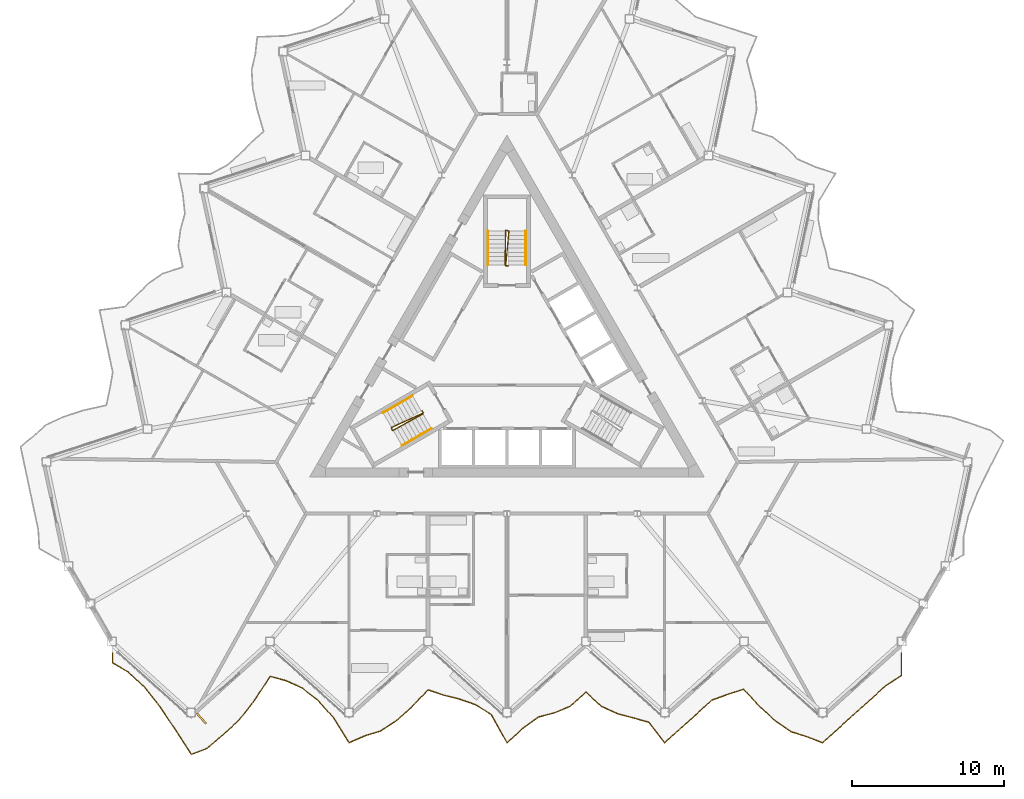
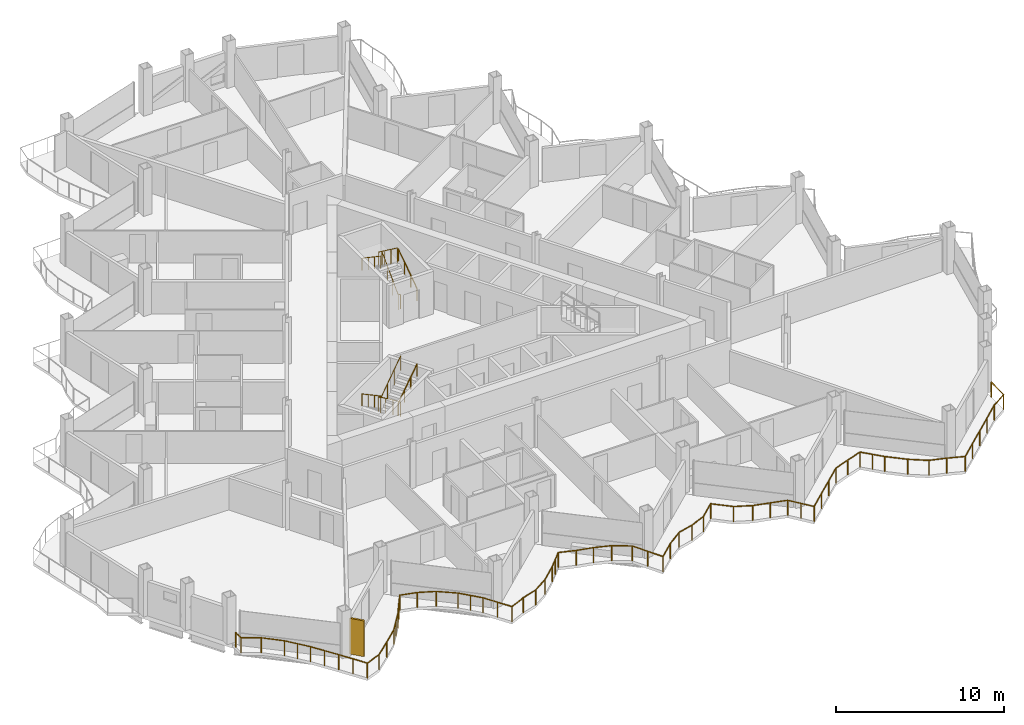
# One storey, part 22 of 26: 7 railings, 1 shading device.
"""IFC4 building model written with IfcOpenShell, lengths in metres."""

from ifc_helpers import new_model, si_unit, direction, frame, origin, origin_2d, place, context, subcontext, project, spatial, rectangle, circle, extrude, material, layer, layer_set, type_object, element, save


model = new_model("IFC4")

# Units and contexts
model_context = context("Model", 3, precision=1e-05, world=origin(), true_north=direction((0.0, 1.0)))
body_context = subcontext(model_context, "Body", "Model", "MODEL_VIEW")
ifc_project = project(units=[si_unit("LENGTHUNIT", "METRE"), si_unit("AREAUNIT", "SQUARE_METRE"), si_unit("VOLUMEUNIT", "CUBIC_METRE"), si_unit("PLANEANGLEUNIT", "RADIAN"), si_unit("MASSUNIT", "GRAM", prefix="KILO")], contexts=[model_context])

# Site, building, storey
site_placement = place(None, origin())
site = spatial("IfcSite", under=ifc_project, at=site_placement, CompositionType="ELEMENT")
building_placement = place(site_placement, origin())
building = spatial("IfcBuilding", under=site, at=building_placement, Name="Cormorant Prow Tower", CompositionType="ELEMENT")
storey_placement = place(building_placement, frame((0.0, 0.0, 329.0)))
storey = spatial("IfcBuildingStorey", under=building, at=storey_placement, Name="L73", CompositionType="ELEMENT", Elevation=329.0)

# Railings
ifc_material_1 = material(Name="Aluminium 6063-T6", Category="aluminium")
railing_type_1 = type_object("IfcRailingType", Name="Balcony guard 1100", PredefinedType="GUARDRAIL", material=ifc_material_1)
railing_1_placement = place(storey_placement, frame((-25.973388671875, -19.09814453125, 0.0)))
element("IfcRailing", 1, at=railing_1_placement, inside=storey, type_object=railing_type_1, Name="Balcony guard S", PredefinedType="GUARDRAIL", context=body_context, shape_type="SweptSolid", body=[
    extrude(circle(Radius=0.02392578125, at=origin_2d()), frame((0.0, 0.0, 1.076171875), z_axis=(0.0, -1.0, 0.0), x_axis=(1.0, 0.0, 0.0)), (0.0, 0.0, 1.0), 0.635986328125),
    extrude(circle(Radius=0.02392578125, at=origin_2d()), frame((0.0, -0.635986328125, 1.076171875), z_axis=(0.864404526024, -0.502796992223, 0.0), x_axis=(0.502796992223, 0.864404526024, 0.0)), (0.0, 0.0, 1.0), 1.20166015625),
    extrude(circle(Radius=0.02392578125, at=origin_2d()), frame((1.038818359375, -1.240234375, 1.076171875), z_axis=(0.734082243463, -0.679060571549, 0.0), x_axis=(0.679060571549, 0.734082243463, 0.0)), (0.0, 0.0, 1.0), 1.41552734375),
    extrude(circle(Radius=0.02392578125, at=origin_2d()), frame((2.077880859375, -2.201416015625, 1.076171875), z_axis=(0.621039347423, -0.783779387935, 0.0), x_axis=(0.783779387935, 0.621039347423, 0.0)), (0.0, 0.0, 1.0), 1.672607421875),
    extrude(circle(Radius=0.02392578125, at=origin_2d()), frame((3.11669921875, -3.512451171875, 1.076171875), z_axis=(0.55672153473, -0.830699183079, 0.0), x_axis=(0.830699183079, 0.55672153473, 0.0)), (0.0, 0.0, 1.0), 1.865966796875),
    extrude(circle(Radius=0.02392578125, at=origin_2d()), frame((4.155517578125, -5.0625, 1.076171875), z_axis=(0.542579782654, -0.840004273474, 0.0), x_axis=(0.840004273474, 0.542579782654, 0.0)), (0.0, 0.0, 1.0), 1.9150390625),
    extrude(circle(Radius=0.02392578125, at=origin_2d()), frame((5.194580078125, -6.671142578125, 1.076171875), z_axis=(0.932796459429, 0.360403614407, 0.0), x_axis=(-0.360403614407, 0.932796459429, 0.0)), (0.0, 0.0, 1.0), 1.11376953125),
    extrude(circle(Radius=0.02392578125, at=origin_2d()), frame((6.2333984375, -6.269775390625, 1.076171875), z_axis=(0.758287360731, 0.651920454162, 0.0), x_axis=(-0.651920454162, 0.758287360731, 0.0)), (0.0, 0.0, 1.0), 1.370361328125),
    extrude(circle(Radius=0.02392578125, at=origin_2d()), frame((7.2724609375, -5.37646484375, 1.076171875), z_axis=(0.743077017914, 0.669205906615, 0.0), x_axis=(-0.669205906615, 0.743077017914, 0.0)), (0.0, 0.0, 1.0), 1.39794921875),
    extrude(circle(Radius=0.02392578125, at=origin_2d()), frame((8.311279296875, -4.44091796875, 1.076171875), z_axis=(0.617097688735, 0.786886549992, 0.0), x_axis=(-0.786886549992, 0.617097688735, 0.0)), (0.0, 0.0, 1.0), 1.683837890625),
    extrude(circle(Radius=0.02392578125, at=origin_2d()), frame((9.350341796875, -3.115966796875, 1.076171875), z_axis=(0.547908224323, 0.836538449636, 0.0), x_axis=(-0.836538449636, 0.547908224323, 0.0)), (0.0, 0.0, 1.0), 1.896484375),
    extrude(circle(Radius=0.02392578125, at=origin_2d()), frame((10.389404296875, -1.529541015625, 1.076171875), z_axis=(0.96507717887, -0.261965720704, 0.0), x_axis=(0.261965720704, 0.96507717887, 0.0)), (0.0, 0.0, 1.0), 1.076416015625),
    extrude(circle(Radius=0.02392578125, at=origin_2d()), frame((11.42822265625, -1.8115234375, 1.076171875), z_axis=(0.910813015189, -0.412819150916, 0.0), x_axis=(0.412819150916, 0.910813015189, 0.0)), (0.0, 0.0, 1.0), 1.140869140625),
    extrude(circle(Radius=0.02392578125, at=origin_2d()), frame((12.46728515625, -2.282470703125, 1.076171875), z_axis=(0.793441260046, -0.608646832618, 0.0), x_axis=(0.608646832618, 0.793441260046, 0.0)), (0.0, 0.0, 1.0), 1.309326171875),
    extrude(circle(Radius=0.02392578125, at=origin_2d()), frame((13.506103515625, -3.079345703125, 1.076171875), z_axis=(0.666062428966, -0.745895998595, 0.0), x_axis=(0.745895998595, 0.666062428966, 0.0)), (0.0, 0.0, 1.0), 1.5595703125),
    extrude(circle(Radius=0.02392578125, at=origin_2d()), frame((14.544921875, -4.24267578125, 1.076171875), z_axis=(0.531772300644, -0.846887371655, 0.0), x_axis=(0.846887371655, 0.531772300644, 0.0)), (0.0, 0.0, 1.0), 1.953857421875),
    extrude(circle(Radius=0.02392578125, at=origin_2d()), frame((15.583984375, -5.8974609375, 1.076171875), z_axis=(0.915885416376, 0.401439788847, 0.0), x_axis=(-0.401439788847, 0.915885416376, 0.0)), (0.0, 0.0, 1.0), 1.13427734375),
    extrude(circle(Radius=0.02392578125, at=origin_2d()), frame((16.622802734375, -5.442138671875, 1.076171875), z_axis=(0.956630315258, 0.29130472006, 0.0), x_axis=(-0.29130472006, 0.956630315258, 0.0)), (0.0, 0.0, 1.0), 1.086181640625),
    extrude(circle(Radius=0.02392578125, at=origin_2d()), frame((17.661865234375, -5.125732421875, 1.076171875), z_axis=(0.834906973795, 0.550391083783, 0.0), x_axis=(-0.550391083783, 0.834906973795, 0.0)), (0.0, 0.0, 1.0), 1.244140625),
    extrude(circle(Radius=0.02392578125, at=origin_2d()), frame((18.70068359375, -4.44091796875, 1.076171875), z_axis=(0.743155211164, 0.669119071706, 0.0), x_axis=(-0.669119071706, 0.743155211164, 0.0)), (0.0, 0.0, 1.0), 1.398193359375),
    extrude(circle(Radius=0.02392578125, at=origin_2d()), frame((19.73974609375, -3.50537109375, 1.076171875), z_axis=(0.690691864093, 0.723149188533, 0.0), x_axis=(-0.723149188533, 0.690691864093, 0.0)), (0.0, 0.0, 1.0), 1.50439453125),
    extrude(circle(Radius=0.02392578125, at=origin_2d()), frame((20.77880859375, -2.41748046875, 1.076171875), z_axis=(0.947833420532, -0.318766069279, 0.0), x_axis=(0.318766069279, 0.947833420532, 0.0)), (0.0, 0.0, 1.0), 1.095947265625),
    extrude(circle(Radius=0.02392578125, at=origin_2d()), frame((21.817626953125, -2.766845703125, 1.076171875), z_axis=(0.970516923933, -0.241032986042, 0.0), x_axis=(0.241032986042, 0.970516923933, 0.0)), (0.0, 0.0, 1.0), 1.070556640625),
    extrude(circle(Radius=0.02392578125, at=origin_2d()), frame((22.856689453125, -3.02490234375, 1.076171875), z_axis=(0.94332138827, -0.331880638834, 0.0), x_axis=(0.331880638834, 0.94332138827, 0.0)), (0.0, 0.0, 1.0), 1.101318359375),
    extrude(circle(Radius=0.02392578125, at=origin_2d()), frame((23.8955078125, -3.390380859375, 1.076171875), z_axis=(0.851218522717, -0.524811420021, 0.0), x_axis=(0.524811420021, 0.851218522717, 0.0)), (0.0, 0.0, 1.0), 1.220703125),
    extrude(circle(Radius=0.02392578125, at=origin_2d()), frame((24.9345703125, -4.031005859375, 1.076171875), z_axis=(0.486322080627, -0.873779625475, 0.0), x_axis=(0.873779625475, 0.486322080627, 0.0)), (0.0, 0.0, 1.0), 2.135986328125),
    extrude(circle(Radius=0.02392578125, at=origin_2d()), frame((25.973388671875, -5.8974609375, 1.076171875), z_axis=(0.743077017914, 0.669205906615, 0.0), x_axis=(-0.669205906615, 0.743077017914, 0.0)), (0.0, 0.0, 1.0), 1.39794921875),
    extrude(circle(Radius=0.02392578125, at=origin_2d()), frame((27.01220703125, -4.9619140625, 1.076171875), z_axis=(0.807314654695, 0.590121214933, 0.0), x_axis=(-0.590121214933, 0.807314654695, 0.0)), (0.0, 0.0, 1.0), 1.287109375),
    extrude(circle(Radius=0.02392578125, at=origin_2d()), frame((28.05126953125, -4.202392578125, 1.076171875), z_axis=(0.968225799112, 0.250077591827, 0.0), x_axis=(-0.250077591827, 0.968225799112, 0.0)), (0.0, 0.0, 1.0), 1.072998046875),
    extrude(circle(Radius=0.02392578125, at=origin_2d()), frame((29.090087890625, -3.93408203125, 1.076171875), z_axis=(0.924407971279, 0.381405168601, 0.0), x_axis=(-0.381405168601, 0.924407971279, 0.0)), (0.0, 0.0, 1.0), 1.1240234375),
    extrude(circle(Radius=0.02392578125, at=origin_2d()), frame((30.129150390625, -3.50537109375, 1.076171875), z_axis=(0.743163863414, 0.669109461983, 0.0), x_axis=(-0.669109461983, 0.743163863414, 0.0)), (0.0, 0.0, 1.0), 1.39794921875),
    extrude(circle(Radius=0.02392578125, at=origin_2d()), frame((31.16796875, -2.570068359375, 1.076171875), z_axis=(0.74324204326, -0.669022619297, 0.0), x_axis=(0.669022619297, 0.74324204326, 0.0)), (0.0, 0.0, 1.0), 1.39794921875),
    extrude(circle(Radius=0.02392578125, at=origin_2d()), frame((32.20703125, -3.50537109375, 1.076171875), z_axis=(0.907659539898, -0.419707230855, 0.0), x_axis=(0.419707230855, 0.907659539898, 0.0)), (0.0, 0.0, 1.0), 1.144775390625),
    extrude(circle(Radius=0.02392578125, at=origin_2d()), frame((33.24609375, -3.98583984375, 1.076171875), z_axis=(0.966835704912, -0.255399138031, 0.0), x_axis=(0.255399138031, 0.966835704912, 0.0)), (0.0, 0.0, 1.0), 1.074462890625),
    extrude(circle(Radius=0.02392578125, at=origin_2d()), frame((34.284912109375, -4.26025390625, 1.076171875), z_axis=(0.962296538374, -0.272002522477, 0.0), x_axis=(0.272002522477, 0.962296538374, 0.0)), (0.0, 0.0, 1.0), 1.079833984375),
    extrude(circle(Radius=0.02392578125, at=origin_2d()), frame((35.323974609375, -4.553955078125, 1.076171875), z_axis=(0.611688866478, -0.791098432957, 0.0), x_axis=(0.791098432957, 0.611688866478, 0.0)), (0.0, 0.0, 1.0), 1.6982421875),
    extrude(circle(Radius=0.02392578125, at=origin_2d()), frame((36.36279296875, -5.8974609375, 1.076171875), z_axis=(0.743155211164, 0.669119071706, 0.0), x_axis=(-0.669119071706, 0.743155211164, 0.0)), (0.0, 0.0, 1.0), 1.398193359375),
    extrude(circle(Radius=0.02392578125, at=origin_2d()), frame((37.40185546875, -4.9619140625, 1.076171875), z_axis=(0.743077017914, 0.669205906615, 0.0), x_axis=(-0.669205906615, 0.743077017914, 0.0)), (0.0, 0.0, 1.0), 1.39794921875),
    extrude(circle(Radius=0.02392578125, at=origin_2d()), frame((38.440673828125, -4.0263671875, 1.076171875), z_axis=(0.743163863414, 0.669109461983, 0.0), x_axis=(-0.669109461983, 0.743163863414, 0.0)), (0.0, 0.0, 1.0), 1.39794921875),
    extrude(circle(Radius=0.02392578125, at=origin_2d()), frame((39.4794921875, -3.091064453125, 1.076171875), z_axis=(0.938985609291, 0.343956429719, 0.0), x_axis=(-0.343956429719, 0.938985609291, 0.0)), (0.0, 0.0, 1.0), 1.106689453125),
    extrude(circle(Radius=0.02392578125, at=origin_2d()), frame((40.5185546875, -2.71044921875, 1.076171875), z_axis=(0.951942396595, 0.306277118905, 0.0), x_axis=(-0.306277118905, 0.951942396595, 0.0)), (0.0, 0.0, 1.0), 1.09130859375),
    extrude(circle(Radius=0.02392578125, at=origin_2d()), frame((41.557373046875, -2.376220703125, 1.076171875), z_axis=(0.677142695524, -0.735851730921, 0.0), x_axis=(0.735851730921, 0.677142695524, 0.0)), (0.0, 0.0, 1.0), 1.534423828125),
    extrude(circle(Radius=0.02392578125, at=origin_2d()), frame((42.596435546875, -3.50537109375, 1.076171875), z_axis=(0.743155211164, -0.669119071706, 0.0), x_axis=(0.669119071706, 0.743155211164, 0.0)), (0.0, 0.0, 1.0), 1.398193359375),
    extrude(circle(Radius=0.02392578125, at=origin_2d()), frame((43.635498046875, -4.44091796875, 1.076171875), z_axis=(0.818734427702, -0.574172393011, 0.0), x_axis=(0.574172393011, 0.818734427702, 0.0)), (0.0, 0.0, 1.0), 1.268798828125),
    extrude(circle(Radius=0.02392578125, at=origin_2d()), frame((44.67431640625, -5.16943359375, 1.076171875), z_axis=(0.95313144312, -0.302556527175, 0.0), x_axis=(0.302556527175, 0.95313144312, 0.0)), (0.0, 0.0, 1.0), 1.090087890625),
    extrude(circle(Radius=0.02392578125, at=origin_2d()), frame((45.71337890625, -5.499267578125, 1.076171875), z_axis=(0.93375222919, -0.35792006717, 0.0), x_axis=(0.35792006717, 0.93375222919, 0.0)), (0.0, 0.0, 1.0), 1.112548828125),
    extrude(circle(Radius=0.02392578125, at=origin_2d()), frame((46.752197265625, -5.8974609375, 1.076171875), z_axis=(0.743155211164, 0.669119071706, 0.0), x_axis=(-0.669119071706, 0.743155211164, 0.0)), (0.0, 0.0, 1.0), 1.398193359375),
    extrude(circle(Radius=0.02392578125, at=origin_2d()), frame((47.791259765625, -4.9619140625, 1.076171875), z_axis=(0.743077017914, 0.669205906615, 0.0), x_axis=(-0.669205906615, 0.743077017914, 0.0)), (0.0, 0.0, 1.0), 1.39794921875),
    extrude(circle(Radius=0.02392578125, at=origin_2d()), frame((48.830078125, -4.0263671875, 1.076171875), z_axis=(0.743163863414, 0.669109461983, 0.0), x_axis=(-0.669109461983, 0.743163863414, 0.0)), (0.0, 0.0, 1.0), 1.39794921875),
    extrude(circle(Radius=0.02392578125, at=origin_2d()), frame((49.868896484375, -3.091064453125, 1.076171875), z_axis=(0.743155211164, 0.669119071706, 0.0), x_axis=(-0.669119071706, 0.743155211164, 0.0)), (0.0, 0.0, 1.0), 1.398193359375),
    extrude(circle(Radius=0.02392578125, at=origin_2d()), frame((50.907958984375, -2.155517578125, 1.076171875), z_axis=(0.835267618493, 0.54984361913, 0.0), x_axis=(-0.54984361913, 0.835267618493, 0.0)), (0.0, 0.0, 1.0), 1.24365234375),
    extrude(circle(Radius=0.02392578125, at=origin_2d()), frame((51.94677734375, -1.4716796875, 1.076171875), z_axis=(0.0, 1.0, 0.0), x_axis=(-1.0, 0.0, 0.0)), (0.0, 0.0, 1.0), 1.4716796875),
    extrude(circle(Radius=0.02099609375, at=origin_2d()), origin(), (0.0, 0.0, 1.0), 1.052001953125),
    extrude(circle(Radius=0.02099609375, at=origin_2d()), frame((0.0, -0.635986328125, 0.0)), (0.0, 0.0, 1.0), 1.052001953125),
    extrude(circle(Radius=0.02099609375, at=origin_2d()), frame((1.038818359375, -1.240234375, 0.0)), (0.0, 0.0, 1.0), 1.052001953125),
    extrude(circle(Radius=0.02099609375, at=origin_2d()), frame((2.077880859375, -2.201416015625, 0.0)), (0.0, 0.0, 1.0), 1.052001953125),
    extrude(circle(Radius=0.02099609375, at=origin_2d()), frame((2.59716796875, -2.85693359375, 0.0)), (0.0, 0.0, 1.0), 1.052001953125),
    extrude(circle(Radius=0.02099609375, at=origin_2d()), frame((3.11669921875, -3.512451171875, 0.0)), (0.0, 0.0, 1.0), 1.052001953125),
    extrude(circle(Radius=0.02099609375, at=origin_2d()), frame((3.63623046875, -4.28759765625, 0.0)), (0.0, 0.0, 1.0), 1.052001953125),
    extrude(circle(Radius=0.02099609375, at=origin_2d()), frame((4.155517578125, -5.0625, 0.0)), (0.0, 0.0, 1.0), 1.052001953125),
    extrude(circle(Radius=0.02099609375, at=origin_2d()), frame((4.675048828125, -5.86669921875, 0.0)), (0.0, 0.0, 1.0), 1.052001953125),
    extrude(circle(Radius=0.02099609375, at=origin_2d()), frame((5.194580078125, -6.671142578125, 0.0)), (0.0, 0.0, 1.0), 1.052001953125),
    extrude(circle(Radius=0.02099609375, at=origin_2d()), frame((6.2333984375, -6.269775390625, 0.0)), (0.0, 0.0, 1.0), 1.052001953125),
    extrude(circle(Radius=0.02099609375, at=origin_2d()), frame((7.2724609375, -5.37646484375, 0.0)), (0.0, 0.0, 1.0), 1.052001953125),
    extrude(circle(Radius=0.02099609375, at=origin_2d()), frame((8.311279296875, -4.44091796875, 0.0)), (0.0, 0.0, 1.0), 1.052001953125),
    extrude(circle(Radius=0.02099609375, at=origin_2d()), frame((8.830810546875, -3.7783203125, 0.0)), (0.0, 0.0, 1.0), 1.052001953125),
    extrude(circle(Radius=0.02099609375, at=origin_2d()), frame((9.350341796875, -3.115966796875, 0.0)), (0.0, 0.0, 1.0), 1.052001953125),
    extrude(circle(Radius=0.02099609375, at=origin_2d()), frame((9.869873046875, -2.32275390625, 0.0)), (0.0, 0.0, 1.0), 1.052001953125),
    extrude(circle(Radius=0.02099609375, at=origin_2d()), frame((10.389404296875, -1.529541015625, 0.0)), (0.0, 0.0, 1.0), 1.052001953125),
    extrude(circle(Radius=0.02099609375, at=origin_2d()), frame((11.42822265625, -1.8115234375, 0.0)), (0.0, 0.0, 1.0), 1.052001953125),
    extrude(circle(Radius=0.02099609375, at=origin_2d()), frame((12.46728515625, -2.282470703125, 0.0)), (0.0, 0.0, 1.0), 1.052001953125),
    extrude(circle(Radius=0.02099609375, at=origin_2d()), frame((13.506103515625, -3.079345703125, 0.0)), (0.0, 0.0, 1.0), 1.052001953125),
    extrude(circle(Radius=0.02099609375, at=origin_2d()), frame((14.025390625, -3.6611328125, 0.0)), (0.0, 0.0, 1.0), 1.052001953125),
    extrude(circle(Radius=0.02099609375, at=origin_2d()), frame((14.544921875, -4.24267578125, 0.0)), (0.0, 0.0, 1.0), 1.052001953125),
    extrude(circle(Radius=0.02099609375, at=origin_2d()), frame((15.064453125, -5.070068359375, 0.0)), (0.0, 0.0, 1.0), 1.052001953125),
    extrude(circle(Radius=0.02099609375, at=origin_2d()), frame((15.583984375, -5.8974609375, 0.0)), (0.0, 0.0, 1.0), 1.052001953125),
    extrude(circle(Radius=0.02099609375, at=origin_2d()), frame((16.622802734375, -5.442138671875, 0.0)), (0.0, 0.0, 1.0), 1.052001953125),
    extrude(circle(Radius=0.02099609375, at=origin_2d()), frame((17.661865234375, -5.125732421875, 0.0)), (0.0, 0.0, 1.0), 1.052001953125),
    extrude(circle(Radius=0.02099609375, at=origin_2d()), frame((18.70068359375, -4.44091796875, 0.0)), (0.0, 0.0, 1.0), 1.052001953125),
    extrude(circle(Radius=0.02099609375, at=origin_2d()), frame((19.73974609375, -3.50537109375, 0.0)), (0.0, 0.0, 1.0), 1.052001953125),
    extrude(circle(Radius=0.02099609375, at=origin_2d()), frame((20.25927734375, -2.96142578125, 0.0)), (0.0, 0.0, 1.0), 1.052001953125),
    extrude(circle(Radius=0.02099609375, at=origin_2d()), frame((20.77880859375, -2.41748046875, 0.0)), (0.0, 0.0, 1.0), 1.052001953125),
    extrude(circle(Radius=0.02099609375, at=origin_2d()), frame((21.817626953125, -2.766845703125, 0.0)), (0.0, 0.0, 1.0), 1.052001953125),
    extrude(circle(Radius=0.02099609375, at=origin_2d()), frame((22.856689453125, -3.02490234375, 0.0)), (0.0, 0.0, 1.0), 1.052001953125),
    extrude(circle(Radius=0.02099609375, at=origin_2d()), frame((23.8955078125, -3.390380859375, 0.0)), (0.0, 0.0, 1.0), 1.052001953125),
    extrude(circle(Radius=0.02099609375, at=origin_2d()), frame((24.9345703125, -4.031005859375, 0.0)), (0.0, 0.0, 1.0), 1.052001953125),
    extrude(circle(Radius=0.02099609375, at=origin_2d()), frame((25.4541015625, -4.96435546875, 0.0)), (0.0, 0.0, 1.0), 1.052001953125),
    extrude(circle(Radius=0.02099609375, at=origin_2d()), frame((25.973388671875, -5.8974609375, 0.0)), (0.0, 0.0, 1.0), 1.052001953125),
    extrude(circle(Radius=0.02099609375, at=origin_2d()), frame((27.01220703125, -4.9619140625, 0.0)), (0.0, 0.0, 1.0), 1.052001953125),
    extrude(circle(Radius=0.02099609375, at=origin_2d()), frame((28.05126953125, -4.202392578125, 0.0)), (0.0, 0.0, 1.0), 1.052001953125),
    extrude(circle(Radius=0.02099609375, at=origin_2d()), frame((29.090087890625, -3.93408203125, 0.0)), (0.0, 0.0, 1.0), 1.052001953125),
    extrude(circle(Radius=0.02099609375, at=origin_2d()), frame((30.129150390625, -3.50537109375, 0.0)), (0.0, 0.0, 1.0), 1.052001953125),
    extrude(circle(Radius=0.02099609375, at=origin_2d()), frame((31.16796875, -2.570068359375, 0.0)), (0.0, 0.0, 1.0), 1.052001953125),
    extrude(circle(Radius=0.02099609375, at=origin_2d()), frame((32.20703125, -3.50537109375, 0.0)), (0.0, 0.0, 1.0), 1.052001953125),
    extrude(circle(Radius=0.02099609375, at=origin_2d()), frame((33.24609375, -3.98583984375, 0.0)), (0.0, 0.0, 1.0), 1.052001953125),
    extrude(circle(Radius=0.02099609375, at=origin_2d()), frame((34.284912109375, -4.26025390625, 0.0)), (0.0, 0.0, 1.0), 1.052001953125),
    extrude(circle(Radius=0.02099609375, at=origin_2d()), frame((35.323974609375, -4.553955078125, 0.0)), (0.0, 0.0, 1.0), 1.052001953125),
    extrude(circle(Radius=0.02099609375, at=origin_2d()), frame((35.84326171875, -5.2255859375, 0.0)), (0.0, 0.0, 1.0), 1.052001953125),
    extrude(circle(Radius=0.02099609375, at=origin_2d()), frame((36.36279296875, -5.8974609375, 0.0)), (0.0, 0.0, 1.0), 1.052001953125),
    extrude(circle(Radius=0.02099609375, at=origin_2d()), frame((37.40185546875, -4.9619140625, 0.0)), (0.0, 0.0, 1.0), 1.052001953125),
    extrude(circle(Radius=0.02099609375, at=origin_2d()), frame((38.440673828125, -4.0263671875, 0.0)), (0.0, 0.0, 1.0), 1.052001953125),
    extrude(circle(Radius=0.02099609375, at=origin_2d()), frame((39.4794921875, -3.091064453125, 0.0)), (0.0, 0.0, 1.0), 1.052001953125),
    extrude(circle(Radius=0.02099609375, at=origin_2d()), frame((40.5185546875, -2.71044921875, 0.0)), (0.0, 0.0, 1.0), 1.052001953125),
    extrude(circle(Radius=0.02099609375, at=origin_2d()), frame((41.557373046875, -2.376220703125, 0.0)), (0.0, 0.0, 1.0), 1.052001953125),
    extrude(circle(Radius=0.02099609375, at=origin_2d()), frame((42.076904296875, -2.94091796875, 0.0)), (0.0, 0.0, 1.0), 1.052001953125),
    extrude(circle(Radius=0.02099609375, at=origin_2d()), frame((42.596435546875, -3.50537109375, 0.0)), (0.0, 0.0, 1.0), 1.052001953125),
    extrude(circle(Radius=0.02099609375, at=origin_2d()), frame((43.635498046875, -4.44091796875, 0.0)), (0.0, 0.0, 1.0), 1.052001953125),
    extrude(circle(Radius=0.02099609375, at=origin_2d()), frame((44.67431640625, -5.16943359375, 0.0)), (0.0, 0.0, 1.0), 1.052001953125),
    extrude(circle(Radius=0.02099609375, at=origin_2d()), frame((45.71337890625, -5.499267578125, 0.0)), (0.0, 0.0, 1.0), 1.052001953125),
    extrude(circle(Radius=0.02099609375, at=origin_2d()), frame((46.752197265625, -5.8974609375, 0.0)), (0.0, 0.0, 1.0), 1.052001953125),
    extrude(circle(Radius=0.02099609375, at=origin_2d()), frame((47.791259765625, -4.9619140625, 0.0)), (0.0, 0.0, 1.0), 1.052001953125),
    extrude(circle(Radius=0.02099609375, at=origin_2d()), frame((48.830078125, -4.0263671875, 0.0)), (0.0, 0.0, 1.0), 1.052001953125),
    extrude(circle(Radius=0.02099609375, at=origin_2d()), frame((49.868896484375, -3.091064453125, 0.0)), (0.0, 0.0, 1.0), 1.052001953125),
    extrude(circle(Radius=0.02099609375, at=origin_2d()), frame((50.907958984375, -2.155517578125, 0.0)), (0.0, 0.0, 1.0), 1.052001953125),
    extrude(circle(Radius=0.02099609375, at=origin_2d()), frame((51.94677734375, -1.4716796875, 0.0)), (0.0, 0.0, 1.0), 1.052001953125),
    extrude(circle(Radius=0.02099609375, at=origin_2d()), frame((51.94677734375, 0.0, 0.0)), (0.0, 0.0, 1.0), 1.052001953125),
])
ifc_material_2 = material(Name="Stainless steel", Category="steel")
railing_type_2 = type_object("IfcRailingType", Name="Stair guard 1100", PredefinedType="GUARDRAIL", material=ifc_material_2)
railing_2_placement = place(storey_placement, frame((-5.585205078125, -3.137939453125, 0.0)))
element("IfcRailing", 2, at=railing_2_placement, inside=storey, type_object=railing_type_2, Name="L73 ST1 stair guard 1", PredefinedType="GUARDRAIL", context=body_context, shape_type="SweptSolid", body=[
    extrude(circle(Radius=0.02392578125, at=origin_2d()), frame((0.0, 0.0, 1.076171875), z_axis=(0.501036270542, -0.865426285481, 0.0), x_axis=(0.865426285481, 0.501036270542, 0.0)), (0.0, 0.0, 1.0), 0.150146484375),
    extrude(circle(Radius=0.02392578125, at=origin_2d()), frame((0.0751953125, -0.1298828125, 1.076171875), z_axis=(-0.728641035543, -0.339941399566, 0.594577233152), x_axis=(0.422792438952, -0.906226546491, 0.0)), (0.0, 0.0, 1.0), 2.859130859375),
    extrude(circle(Radius=0.02392578125, at=origin_2d()), frame((-2.008056640625, -1.101806640625, 2.77587890625), z_axis=(0.275034262293, -0.961434425515, 0.0), x_axis=(0.961434425515, 0.275034262293, 0.0)), (0.0, 0.0, 1.0), 0.2060546875),
    extrude(circle(Radius=0.02392578125, at=origin_2d()), frame((-1.951416015625, -1.2998046875, 2.77587890625), z_axis=(0.704058451865, 0.386179398835, 0.595959032378), x_axis=(-0.480911908544, 0.87676891837, 0.0)), (0.0, 0.0, 1.0), 2.8525390625),
    extrude(circle(Radius=0.02099609375, at=origin_2d()), origin(), (0.0, 0.0, 1.0), 1.052001953125),
    extrude(circle(Radius=0.02099609375, at=origin_2d()), frame((0.0751953125, -0.1298828125, 0.0)), (0.0, 0.0, 1.0), 1.052001953125),
    extrude(circle(Radius=0.02099609375, at=origin_2d()), frame((-0.619140625, -0.453857421875, 0.566650390625)), (0.0, 0.0, 1.0), 1.052001953125),
    extrude(circle(Radius=0.02099609375, at=origin_2d()), frame((-1.313720703125, -0.77783203125, 1.13330078125)), (0.0, 0.0, 1.0), 1.052001953125),
    extrude(circle(Radius=0.02099609375, at=origin_2d()), frame((-2.008056640625, -1.101806640625, 1.699951171875)), (0.0, 0.0, 1.0), 1.052001953125),
    extrude(circle(Radius=0.02099609375, at=origin_2d()), frame((-1.951416015625, -1.2998046875, 1.699951171875)), (0.0, 0.0, 1.0), 1.052001953125),
    extrude(circle(Radius=0.02099609375, at=origin_2d()), frame((-1.281982421875, -0.9326171875, 2.2666015625)), (0.0, 0.0, 1.0), 1.052001953125),
    extrude(circle(Radius=0.02099609375, at=origin_2d()), frame((-0.612548828125, -0.5654296875, 2.833251953125)), (0.0, 0.0, 1.0), 1.052001953125),
    extrude(circle(Radius=0.02099609375, at=origin_2d()), frame((0.056884765625, -0.1982421875, 3.39990234375)), (0.0, 0.0, 1.0), 1.052001953125),
])
railing_3_placement = place(storey_placement, frame((0.074951171875, 6.40576171875, 0.0)))
element("IfcRailing", 3, at=railing_3_placement, inside=storey, type_object=railing_type_2, Name="L73 ST3 stair guard 1", PredefinedType="GUARDRAIL", context=body_context, shape_type="SweptSolid", body=[
    extrude(circle(Radius=0.02392578125, at=origin_2d()), frame((0.0, 0.0, 1.076171875), z_axis=(-1.0, 0.0, 0.0), x_axis=(0.0, -1.0, 0.0)), (0.0, 0.0, 1.0), 0.14990234375),
    extrude(circle(Radius=0.02392578125, at=origin_2d()), frame((-0.14990234375, 0.0, 1.076171875), z_axis=(0.069936542308, 0.800982621307, 0.594588698525), x_axis=(-0.996209839609, 0.086982500921, 0.0)), (0.0, 0.0, 1.0), 2.859130859375),
    extrude(circle(Radius=0.02392578125, at=origin_2d()), frame((0.050048828125, 2.2900390625, 2.77587890625), z_axis=(-0.970072785993, 0.242814311512, 0.0), x_axis=(-0.242814311512, -0.970072785993, 0.0)), (0.0, 0.0, 1.0), 0.2060546875),
    extrude(circle(Radius=0.02392578125, at=origin_2d()), frame((-0.14990234375, 2.340087890625, 2.77587890625), z_axis=(-0.017545750742, -0.80282508275, 0.595956402045), x_axis=(0.999761264773, -0.0218497931, 0.0)), (0.0, 0.0, 1.0), 2.8525390625),
    extrude(circle(Radius=0.02099609375, at=origin_2d()), origin(), (0.0, 0.0, 1.0), 1.052001953125),
    extrude(circle(Radius=0.02099609375, at=origin_2d()), frame((-0.14990234375, 0.0, 0.0)), (0.0, 0.0, 1.0), 1.052001953125),
    extrude(circle(Radius=0.02099609375, at=origin_2d()), frame((-0.083251953125, 0.763427734375, 0.566650390625)), (0.0, 0.0, 1.0), 1.052001953125),
    extrude(circle(Radius=0.02099609375, at=origin_2d()), frame((-0.0166015625, 1.526611328125, 1.13330078125)), (0.0, 0.0, 1.0), 1.052001953125),
    extrude(circle(Radius=0.02099609375, at=origin_2d()), frame((0.050048828125, 2.2900390625, 1.699951171875)), (0.0, 0.0, 1.0), 1.052001953125),
    extrude(circle(Radius=0.02099609375, at=origin_2d()), frame((-0.14990234375, 2.340087890625, 1.699951171875)), (0.0, 0.0, 1.0), 1.052001953125),
    extrude(circle(Radius=0.02099609375, at=origin_2d()), frame((-0.16650390625, 1.57666015625, 2.2666015625)), (0.0, 0.0, 1.0), 1.052001953125),
    extrude(circle(Radius=0.02099609375, at=origin_2d()), frame((-0.183349609375, 0.8134765625, 2.833251953125)), (0.0, 0.0, 1.0), 1.052001953125),
    extrude(circle(Radius=0.02099609375, at=origin_2d()), frame((-0.199951171875, 0.050048828125, 3.39990234375)), (0.0, 0.0, 1.0), 1.052001953125),
])
ifc_material_3 = material(Name="Stainless steel", Category="steel")
railing_type_3 = type_object("IfcRailingType", Name="Stair handrail 900", PredefinedType="HANDRAIL", material=ifc_material_3)
railing_4_placement = place(storey_placement, frame((-6.212890625, -2.150634765625, 0.18896484375)))
element("IfcRailing", 4, at=railing_4_placement, inside=storey, type_object=railing_type_3, Name="L73 ST1 stair handrail 1", PredefinedType="HANDRAIL", context=body_context, shape_type="SweptSolid", body=[
    extrude(circle(Radius=0.02392578125, at=origin_2d()), frame((0.0, 0.0, 0.8759765625), z_axis=(-0.717976596433, -0.414467486514, 0.559219375198), x_axis=(0.49994888933, -0.866054910533, 0.0)), (0.0, 0.0, 1.0), 2.701904296875),
    extrude(circle(Radius=0.02099609375, at=origin_2d()), origin(), (0.0, 0.0, 1.0), 0.851806640625),
    extrude(circle(Radius=0.02099609375, at=origin_2d()), frame((-0.646728515625, -0.373291015625, 0.503662109375)), (0.0, 0.0, 1.0), 0.851806640625),
    extrude(circle(Radius=0.02099609375, at=origin_2d()), frame((-1.293212890625, -0.74658203125, 1.00732421875)), (0.0, 0.0, 1.0), 0.851806640625),
    extrude(circle(Radius=0.02099609375, at=origin_2d()), frame((-1.93994140625, -1.119873046875, 1.510986328125)), (0.0, 0.0, 1.0), 0.851806640625),
])
railing_5_placement = place(storey_placement, frame((-6.90869140625, -5.42529296875, 1.888916015625)))
element("IfcRailing", 5, at=railing_5_placement, inside=storey, type_object=railing_type_3, Name="L73 ST1 stair handrail 2", PredefinedType="HANDRAIL", context=body_context, shape_type="SweptSolid", body=[
    extrude(circle(Radius=0.02392578125, at=origin_2d()), frame((0.0, 0.0, 0.8759765625), z_axis=(0.71790592183, 0.414569209485, 0.559234707389), x_axis=(-0.500077830873, 0.865980463445, 0.0)), (0.0, 0.0, 1.0), 2.701904296875),
    extrude(circle(Radius=0.02099609375, at=origin_2d()), origin(), (0.0, 0.0, 1.0), 0.851806640625),
    extrude(circle(Radius=0.02099609375, at=origin_2d()), frame((0.646484375, 0.373291015625, 0.503662109375)), (0.0, 0.0, 1.0), 0.851806640625),
    extrude(circle(Radius=0.02099609375, at=origin_2d()), frame((1.293212890625, 0.746826171875, 1.00732421875)), (0.0, 0.0, 1.0), 0.851806640625),
    extrude(circle(Radius=0.02099609375, at=origin_2d()), frame((1.939697265625, 1.1201171875, 1.510986328125)), (0.0, 0.0, 1.0), 0.851806640625),
])
railing_6_placement = place(storey_placement, frame((1.243896484375, 6.455810546875, 0.18896484375)))
element("IfcRailing", 6, at=railing_6_placement, inside=storey, type_object=railing_type_3, Name="L73 ST3 stair handrail 1", PredefinedType="HANDRAIL", context=body_context, shape_type="SweptSolid", body=[
    extrude(circle(Radius=0.02392578125, at=origin_2d()), frame((0.0, 0.0, 0.8759765625), z_axis=(0.0, 0.829021472004, 0.559216772778), x_axis=(-1.0, 0.0, 0.0)), (0.0, 0.0, 1.0), 2.701904296875),
    extrude(circle(Radius=0.02099609375, at=origin_2d()), origin(), (0.0, 0.0, 1.0), 0.851806640625),
    extrude(circle(Radius=0.02099609375, at=origin_2d()), frame((0.0, 0.74658203125, 0.503662109375)), (0.0, 0.0, 1.0), 0.851806640625),
    extrude(circle(Radius=0.02099609375, at=origin_2d()), frame((0.0, 1.493408203125, 1.00732421875)), (0.0, 0.0, 1.0), 0.851806640625),
    extrude(circle(Radius=0.02099609375, at=origin_2d()), frame((0.0, 2.239990234375, 1.510986328125)), (0.0, 0.0, 1.0), 0.851806640625),
])
railing_7_placement = place(storey_placement, frame((-1.243896484375, 8.69580078125, 1.888916015625)))
element("IfcRailing", 7, at=railing_7_placement, inside=storey, type_object=railing_type_3, Name="L73 ST3 stair handrail 2", PredefinedType="HANDRAIL", context=body_context, shape_type="SweptSolid", body=[
    extrude(circle(Radius=0.02392578125, at=origin_2d()), frame((0.0, 0.0, 0.8759765625), z_axis=(0.0, -0.829021472004, 0.559216772778), x_axis=(1.0, 0.0, 0.0)), (0.0, 0.0, 1.0), 2.701904296875),
    extrude(circle(Radius=0.02099609375, at=origin_2d()), origin(), (0.0, 0.0, 1.0), 0.851806640625),
    extrude(circle(Radius=0.02099609375, at=origin_2d()), frame((0.0, -0.74658203125, 0.503662109375)), (0.0, 0.0, 1.0), 0.851806640625),
    extrude(circle(Radius=0.02099609375, at=origin_2d()), frame((0.0, -1.493408203125, 1.00732421875)), (0.0, 0.0, 1.0), 0.851806640625),
    extrude(circle(Radius=0.02099609375, at=origin_2d()), frame((0.0, -2.239990234375, 1.510986328125)), (0.0, 0.0, 1.0), 0.851806640625),
])

# Shading device
ifc_material_4 = material(Name="Terracotta", Category="masonry")
ifc_layer = layer(ifc_material_4, 0.1201171875)
ifc_layer_set = layer_set([ifc_layer], Name="Terracotta")
shading_device_type = type_object("IfcShadingDeviceType", Name="Terracotta baguette fin 120x900x2600", PredefinedType="USERDEFINED", material=ifc_layer_set)
shading_device_placement = place(storey_placement, frame((-20.110595703125, -23.3994140625, 0.0), z_axis=(0.0, 0.0, 1.0), x_axis=(0.74314478215, 0.669130654479, 0.0)))
element("IfcShadingDevice", 8, at=shading_device_placement, inside=storey, type_object=shading_device_type, Name="Baguette fin S01", ObjectType="BAGUETTE", PredefinedType="USERDEFINED", context=body_context, shape_type="SweptSolid", body=[
    extrude(rectangle(XDim=0.1201171875, YDim=0.89990234375, at=origin_2d()), origin(), (0.0, 0.0, 1.0), 2.60009765625),
])

save(model, "model.ifc")
